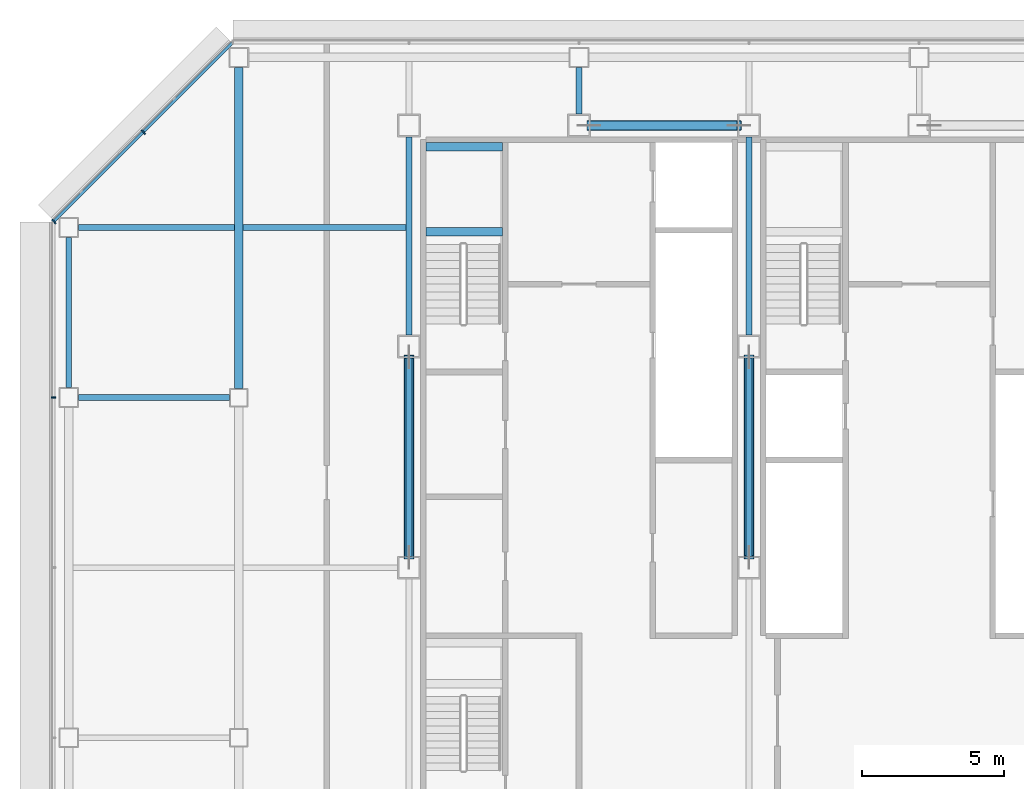
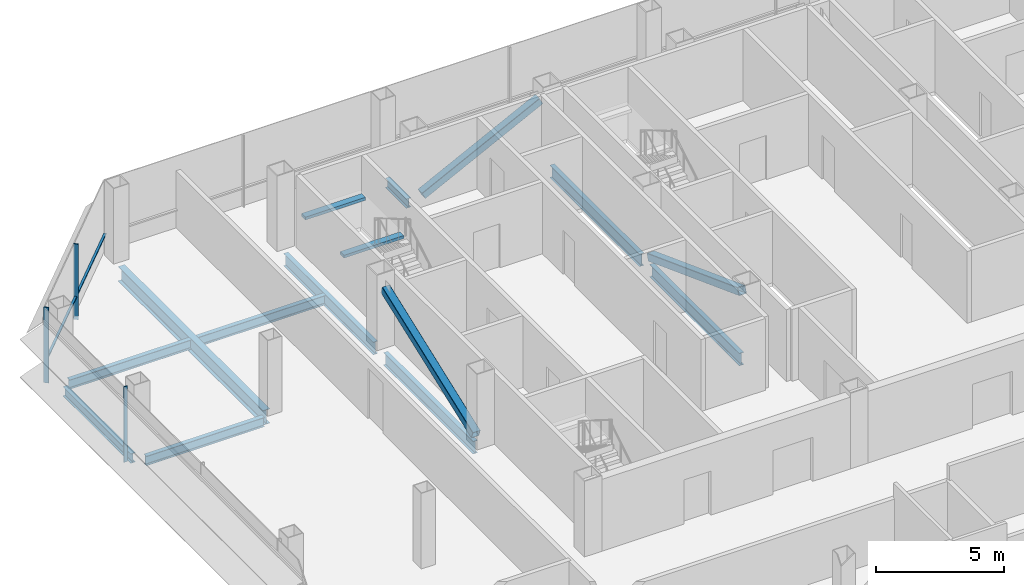
# One storey, part 11 of 24: 12 beams, 7 members, 2 elements without a shape of their own.
"""IFC4 building model written with IfcOpenShell, lengths in metres."""

import ifcopenshell
import ifcopenshell.guid

model = None  # the IFC model being written
_history = None  # IfcOwnerHistory: only IFC2X3 demands one
_inside = {}  # id of a spatial element -> (the spatial element, [elements in it])
_under = {}  # id of a project, library or spatial element -> (it, [spatial elements below it])
_declared = {}  # id of a project -> (the project, [libraries it declares])
_typed = {}  # id of a type object -> (the type object, [elements of that type])
_made_of = {}  # id of a material, layer set ... -> (it, [elements and type objects made of it])


def new_model(schema):
    """Start an empty IFC model of exactly this schema.

    Asked for "IFC4X3", IfcOpenShell would pick the latest addendum, in which some entities
    have other attributes; the version numbers below select the first issue.
    IFC2X3 requires an IfcOwnerHistory on every rooted entity: one is made here for all.
    """
    global model, _history
    if schema == "IFC4X3":
        model = ifcopenshell.file(schema_version=(4, 3, 0, 0))
    else:
        model = ifcopenshell.file(schema=schema)
    _inside.clear()
    _under.clear()
    _declared.clear()
    _typed.clear()
    _made_of.clear()
    _history = None
    if model.schema == "IFC2X3":
        org = make("IfcOrganization", Name="unknown")
        user = make(
            "IfcPersonAndOrganization",
            ThePerson=make("IfcPerson", FamilyName="unknown"),
            TheOrganization=org,
        )
        app = make(
            "IfcApplication",
            ApplicationDeveloper=org,
            Version="unknown",
            ApplicationFullName="unknown",
            ApplicationIdentifier="unknown",
        )
        _history = make(
            "IfcOwnerHistory",
            OwningUser=user,
            OwningApplication=app,
            ChangeAction="ADDED",
            CreationDate=0,
        )
    return model


def make(cls, **values):
    """One entity of the class cls with the attributes given. An attribute that is None is left unset."""
    return model.create_entity(
        cls, **{name: value for name, value in values.items() if value is not None}
    )


def rooted(cls, **values):
    """An entity with a GlobalId (a new one), such as an element, a storey or a relation."""
    return make(cls, GlobalId=ifcopenshell.guid.new(), OwnerHistory=_history, **values)


def si_unit(unit_type, name, prefix=None):
    """IfcSIUnit, for example si_unit("LENGTHUNIT", "METRE", prefix="MILLI")."""
    return make("IfcSIUnit", UnitType=unit_type, Prefix=prefix, Name=name)


def assignment(units):
    """IfcUnitAssignment: the units of a project."""
    return None if units is None else make("IfcUnitAssignment", Units=units)


def point(xyz):
    """IfcCartesianPoint."""
    return None if xyz is None else make("IfcCartesianPoint", Coordinates=xyz)


def direction(xyz):
    """IfcDirection."""
    return None if xyz is None else make("IfcDirection", DirectionRatios=xyz)


def frame(location, z_axis=None, x_axis=None):
    """IfcAxis2Placement3D, a coordinate frame: its origin and axes. An axis left out is left unset."""
    return make(
        "IfcAxis2Placement3D",
        Location=point(location),
        Axis=direction(z_axis),
        RefDirection=direction(x_axis),
    )


def frame_2d(location, x_axis=None):
    """IfcAxis2Placement2D, a coordinate frame in the plane: its origin and x axis."""
    return make(
        "IfcAxis2Placement2D", Location=point(location), RefDirection=direction(x_axis)
    )


def origin():
    """The frame at (0, 0, 0) with its axes left unset."""
    return frame((0.0, 0.0, 0.0))


def origin_2d():
    """The frame at (0, 0) in the plane with its x axis left unset."""
    return frame_2d((0.0, 0.0))


def place(relative_to, where):
    """IfcLocalPlacement: puts the frame where relative to a parent placement (None: the world)."""
    return make(
        "IfcLocalPlacement", PlacementRelTo=relative_to, RelativePlacement=where
    )


def context(
    kind, dimensions, precision=None, world=None, true_north=None, identifier=None
):
    """IfcGeometricRepresentationContext, for example the 3D "Model" context."""
    return make(
        "IfcGeometricRepresentationContext",
        ContextIdentifier=identifier,
        ContextType=kind,
        CoordinateSpaceDimension=dimensions,
        Precision=precision,
        WorldCoordinateSystem=world,
        TrueNorth=true_north,
    )


def subcontext(parent, identifier, kind, view, scale=None):
    """IfcGeometricRepresentationSubContext, for example "Body" below "Model"."""
    return make(
        "IfcGeometricRepresentationSubContext",
        ContextIdentifier=identifier,
        ContextType=kind,
        ParentContext=parent,
        TargetScale=scale,
        TargetView=view,
    )


def project(units=None, contexts=None):
    """IfcProject with its units and contexts."""
    return rooted(
        "IfcProject",
        Name="project",
        RepresentationContexts=contexts,
        UnitsInContext=assignment(units),
    )


def spatial(cls, under=None, at=None, **own):
    """A site, building, storey or space (cls), placed at a placement, below another one or the project."""
    s = rooted(cls, ObjectPlacement=at, **own)
    if under is not None:
        _under.setdefault(under.id(), (under, []))[1].append(s)
    return s


def profile(cls, at=None, kind="AREA", **sizes):
    """A parametric profile (cls). Its sizes go by their IFC names, for example OverallWidth=200.0."""
    return make(cls, ProfileType=kind, Position=at, **sizes)


def rectangle(**sizes):
    """IfcRectangleProfileDef."""
    return profile("IfcRectangleProfileDef", **sizes)


def hollow_rectangle(**sizes):
    """IfcRectangleHollowProfileDef."""
    return profile("IfcRectangleHollowProfileDef", **sizes)


def i_section(**sizes):
    """IfcIShapeProfileDef."""
    return profile("IfcIShapeProfileDef", **sizes)


def extrude(swept, where, along, depth):
    """IfcExtrudedAreaSolid: the profile swept, set in the frame where, extruded along a direction by depth."""
    return make(
        "IfcExtrudedAreaSolid",
        SweptArea=swept,
        Position=where,
        ExtrudedDirection=direction(along),
        Depth=depth,
    )


def shape(context_of_items, identifier, shape_type, items):
    """IfcShapeRepresentation: the items that make up one representation, for example the "Body"."""
    return make(
        "IfcShapeRepresentation",
        ContextOfItems=context_of_items,
        RepresentationIdentifier=identifier,
        RepresentationType=shape_type,
        Items=items,
    )


def material(Name=None, Category=None):
    """IfcMaterial."""
    return make("IfcMaterial", Name=Name, Category=Category)


def material_profile(
    of_material, cross_section, Name=None, Category=None, Priority=None
):
    """IfcMaterialProfile: a cross section and its material."""
    return make(
        "IfcMaterialProfile",
        Name=Name,
        Material=of_material,
        Profile=cross_section,
        Priority=Priority,
        Category=Category,
    )


def profile_set(profiles, Name=None, composite=None):
    """IfcMaterialProfileSet."""
    return make(
        "IfcMaterialProfileSet",
        Name=Name,
        MaterialProfiles=profiles,
        CompositeProfile=composite,
    )


def made_of(thing, what):
    """Note that an element or type object is made of a material, layer set ...; save() writes the relation."""
    if what is not None:
        _made_of.setdefault(what.id(), (what, []))[1].append(thing)
    return thing


def type_object(cls, material=None, **own):
    """A type object (cls), such as IfcWallType, which elements share."""
    return made_of(rooted(cls, **own), material)


def element(
    cls,
    number,
    at=None,
    inside=None,
    cuts=None,
    type_object=None,
    material=None,
    context=None,
    identifier="Body",
    shape_type=None,
    held_by="IfcProductDefinitionShape",
    body=None,
    shapes=None,
    **own,
):
    """One element of the class cls, such as IfcWall. Its Tag is "e" and its number.

    at: its placement. inside: the storey or other place that contains it. cuts: it is an
    opening in that element (IfcRelVoidsElement). A single representation is given by context,
    identifier, shape_type and body (its items); several are given by shapes. held_by: the class
    of the entity that holds the representations. save() writes the other relations.
    """
    e = rooted(cls, Tag="e%d" % number, ObjectPlacement=at, **own)
    if body is not None:
        shapes = [shape(context, identifier, shape_type, body)]
    if shapes is not None:
        e.Representation = make(held_by, Representations=shapes)
    if inside is not None:
        _inside.setdefault(inside.id(), (inside, []))[1].append(e)
    if cuts is not None:
        rooted(
            "IfcRelVoidsElement", RelatingBuildingElement=cuts, RelatedOpeningElement=e
        )
    if type_object is not None:
        _typed.setdefault(type_object.id(), (type_object, []))[1].append(e)
    return made_of(e, material)


def aggregate(whole, parts):
    """IfcRelAggregates: a whole, such as a stair, and the parts it consists of."""
    return rooted("IfcRelAggregates", RelatingObject=whole, RelatedObjects=parts)


def save(model, path):
    """Write the relations noted so far, then the file.

    IfcRelAggregates (storeys below a building ...), IfcRelContainedInSpatialStructure (elements
    in a storey), IfcRelDefinesByType, IfcRelAssociatesMaterial and IfcRelDeclares: one each for
    every whole, place, type object, material and project.
    """
    for whole, parts in _under.values():
        aggregate(whole, parts)
    for where, things in _inside.values():
        rooted(
            "IfcRelContainedInSpatialStructure",
            RelatedElements=things,
            RelatingStructure=where,
        )
    for kind, things in _typed.values():
        rooted("IfcRelDefinesByType", RelatedObjects=things, RelatingType=kind)
    for what, things in _made_of.values():
        rooted("IfcRelAssociatesMaterial", RelatedObjects=things, RelatingMaterial=what)
    for by, libraries in _declared.values():
        rooted("IfcRelDeclares", RelatingContext=by, RelatedDefinitions=libraries)
    model.write(path)


model = new_model("IFC4")

# Units and contexts
model_context = context("Model", 3, precision=1e-05, world=origin(), true_north=direction((0.0, 1.0)))
body_context = subcontext(model_context, "Body", "Model", "MODEL_VIEW")
ifc_project = project(units=[si_unit("LENGTHUNIT", "METRE"), si_unit("AREAUNIT", "SQUARE_METRE"), si_unit("VOLUMEUNIT", "CUBIC_METRE"), si_unit("PLANEANGLEUNIT", "RADIAN"), si_unit("MASSUNIT", "GRAM", prefix="KILO")], contexts=[model_context])

# Site, building, storey
site_placement = place(None, origin())
site = spatial("IfcSite", under=ifc_project, at=site_placement, CompositionType="ELEMENT")
building_placement = place(site_placement, origin())
building = spatial("IfcBuilding", under=site, at=building_placement, Name="Sorahane Residences", CompositionType="ELEMENT")
storey_placement = place(building_placement, frame((0.0, 0.0, 174.39990234375)))
storey = spatial("IfcBuildingStorey", under=building, at=storey_placement, Name="L40", CompositionType="ELEMENT", Elevation=174.39990234375)

# Members
ifc_material_1 = material(Name="Steel Q355B", Category="steel")
ifc_material_profile_1 = material_profile(ifc_material_1, hollow_rectangle(XDim=0.35009765625, YDim=0.35009765625, WallThickness=0.01806640625, InnerFilletRadius=0.009033203125, OuterFilletRadius=0.027099609375, at=origin_2d()), Name="RHS 350x350x18")
ifc_profile_set_1 = profile_set([ifc_material_profile_1], Name="Steel Q355B")
member_type_1 = type_object("IfcMemberType", Name="Core brace RHS 350x350x18 Q355B", PredefinedType="BRACE", material=ifc_profile_set_1)
member_1_placement = place(storey_placement, frame((12.352783203125, 45.60009765625, 0.1513671875), z_axis=(0.893055794866, 0.0, 0.449945938149), x_axis=(0.0, 1.0, 0.0)))
element("IfcMember", 1, at=member_1_placement, inside=storey, type_object=member_type_1, Name="Core brace L40 y45.6-2", PredefinedType="BRACE", context=body_context, shape_type="SweptSolid", body=[
    extrude(hollow_rectangle(XDim=0.35009765625, YDim=0.35009765625, WallThickness=0.01806640625, InnerFilletRadius=0.009033203125, OuterFilletRadius=0.027099609375, at=origin_2d()), origin(), (0.0, 0.0, 1.0), 5.928466796875),
])
for number, where, z_axis, x_axis, name in (
    (2, (6.0, 30.36328125, 0.161376953125), (0.0, 0.936550837269, 0.350531780601), (-1.0, 0.0, 0.0), "Core brace L40 x6-2"),
    (3, (18.0, 37.436767578125, 0.161376953125), (0.0, -0.936550837269, 0.350531780601), (1.0, 0.0, 0.0), "Core brace L40 x18-1"),
):
    element("IfcMember", number, at=place(storey_placement, frame(where, z_axis=z_axis, x_axis=x_axis)), inside=storey, type_object=member_type_1, Name=name, PredefinedType="BRACE", context=body_context, shape_type="SweptSolid", body=[
        extrude(hollow_rectangle(XDim=0.35009765625, YDim=0.35009765625, WallThickness=0.01806640625, InnerFilletRadius=0.009033203125, OuterFilletRadius=0.027099609375, at=origin_2d()), origin(), (0.0, 0.0, 1.0), 7.552734375),
    ])

# Curtain wall, member
ifc_material_2 = material(Name="Dark low-e glass and black anodised aluminium", Category="aluminium")
curtain_wall_type_1 = type_object("IfcCurtainWallType", Name="Curtain wall CW-1 Typical unitised wall", PredefinedType="NOTDEFINED", material=ifc_material_2)
curtain_wall_1_placement = place(storey_placement, origin())
curtain_wall_1 = element("IfcCurtainWall", 4, at=curtain_wall_1_placement, inside=storey, type_object=curtain_wall_type_1, Name="CW-1 curtain wall L40 W1", PredefinedType="NOTDEFINED")
ifc_material_3 = material(Name="Black anodised aluminium", Category="aluminium")
ifc_material_profile_2 = material_profile(ifc_material_3, rectangle(XDim=0.159912109375, YDim=0.050048828125, at=origin_2d()), Name="Curtain wall mullion CW-1 black anodised aluminium 50x160")
ifc_profile_set_2 = profile_set([ifc_material_profile_2], Name="Black anodised aluminium")
member_type_2 = type_object("IfcMemberType", Name="Curtain wall mullion CW-1 black anodised aluminium 50x160", PredefinedType="MULLION", material=ifc_profile_set_2)
member_2_placement = place(storey_placement, frame((-6.5400390625, 36.0, -0.179931640625), z_axis=(0.0, 0.0, 1.0), x_axis=(-1.0, 0.0, 0.0)))
member_2 = element("IfcMember", 5, at=member_2_placement, type_object=member_type_2, Name="CW-1 mullion L40 W1.2", PredefinedType="MULLION", context=body_context, shape_type="SweptSolid", body=[
    extrude(rectangle(XDim=0.159912109375, YDim=0.050048828125, at=origin_2d()), origin(), (0.0, 0.0, 1.0), 3.60009765625),
])
aggregate(curtain_wall_1, [member_2])

# Curtain wall, members
ifc_material_4 = material(Name="Dark low-e glass and black anodised aluminium", Category="aluminium")
curtain_wall_type_2 = type_object("IfcCurtainWallType", Name="Curtain wall CW-2 Chamfer unitised wall", PredefinedType="NOTDEFINED", material=ifc_material_4)
curtain_wall_2_placement = place(storey_placement, origin())
curtain_wall_2 = element("IfcCurtainWall", 6, at=curtain_wall_2_placement, inside=storey, type_object=curtain_wall_type_2, Name="CW-2 curtain wall L40 NW1", PredefinedType="NOTDEFINED")
ifc_material_5 = material(Name="Black anodised aluminium", Category="aluminium")
ifc_material_profile_3 = material_profile(ifc_material_5, rectangle(XDim=0.199951171875, YDim=0.050048828125, at=origin_2d()), Name="Curtain wall mullion CW-2 black anodised aluminium 50x200")
ifc_profile_set_3 = profile_set([ifc_material_profile_3], Name="Black anodised aluminium")
member_type_3 = type_object("IfcMemberType", Name="Curtain wall mullion CW-2 black anodised aluminium 50x200", PredefinedType="MULLION", material=ifc_profile_set_3)
member_3_placement = place(storey_placement, frame((-3.36767578125, 45.36767578125, -0.179931640625), z_axis=(0.0, 0.0, 1.0), x_axis=(-0.707106781187, 0.707106781187, 0.0)))
member_3 = element("IfcMember", 7, at=member_3_placement, type_object=member_type_3, Name="CW-2 mullion L40 NW1.2", PredefinedType="MULLION", context=body_context, shape_type="SweptSolid", body=[
    extrude(rectangle(XDim=0.199951171875, YDim=0.050048828125, at=origin_2d()), origin(), (0.0, 0.0, 1.0), 3.60009765625),
])
member_4_placement = place(storey_placement, frame((-6.525634765625, 42.209716796875, -0.179931640625), z_axis=(0.0, 0.0, 1.0), x_axis=(-0.707106781187, 0.707106781187, 0.0)))
member_4 = element("IfcMember", 8, at=member_4_placement, type_object=member_type_3, Name="CW-2 mullion L40 NW1.3", PredefinedType="MULLION", context=body_context, shape_type="SweptSolid", body=[
    extrude(rectangle(XDim=0.199951171875, YDim=0.050048828125, at=origin_2d()), origin(), (0.0, 0.0, 1.0), 3.60009765625),
])
ifc_material_6 = material(Name="Black anodised aluminium", Category="aluminium")
ifc_material_profile_4 = material_profile(ifc_material_6, rectangle(XDim=0.10009765625, YDim=0.06005859375, at=origin_2d()), Name="Curtain wall transom CW-2 black anodised aluminium 60x100")
ifc_profile_set_4 = profile_set([ifc_material_profile_4], Name="Black anodised aluminium")
member_type_4 = type_object("IfcMemberType", Name="Curtain wall transom CW-2 black anodised aluminium 60x100", PredefinedType="USERDEFINED", material=ifc_profile_set_4)
member_5_placement = place(storey_placement, frame((-0.234375, 48.51513671875, 0.900146484375), z_axis=(-0.707106781187, -0.707106781187, 0.0), x_axis=(0.707106781187, -0.707106781187, 0.0)))
member_5 = element("IfcMember", 9, at=member_5_placement, type_object=member_type_4, Name="CW-2 transom L40 NW1", ObjectType="TRANSOM", PredefinedType="USERDEFINED", context=body_context, shape_type="SweptSolid", body=[
    extrude(rectangle(XDim=0.10009765625, YDim=0.06005859375, at=origin_2d()), origin(), (0.0, 0.0, 1.0), 8.88232421875),
])
aggregate(curtain_wall_2, [member_3, member_4, member_5])

# Beams
ifc_material_7 = material(Name="Concrete C40", Category="concrete")
ifc_material_profile_5 = material_profile(ifc_material_7, rectangle(XDim=0.300048828125, YDim=0.139892578125, at=origin_2d()), Name="300x140")
ifc_profile_set_5 = profile_set([ifc_material_profile_5], Name="Concrete C40")
beam_type_1 = type_object("IfcBeamType", Name="RC landing beam 300 x 140 Concrete C40", PredefinedType="BEAM", material=ifc_profile_set_5)
for number, where, z_axis, x_axis, name in (
    (10, (6.60009765625, 41.85009765625, 1.530029296875), (1.0, 0.0, 0.0), (0.0, 1.0, 0.0), "Landing beam"),
    (11, (6.60009765625, 44.85009765625, 1.530029296875), (1.0, 0.0, 0.0), (0.0, 1.0, 0.0), "Landing beam"),
):
    element("IfcBeam", number, at=place(storey_placement, frame(where, z_axis=z_axis, x_axis=x_axis)), inside=storey, type_object=beam_type_1, Name=name, PredefinedType="BEAM", context=body_context, shape_type="SweptSolid", body=[
        extrude(rectangle(XDim=0.300048828125, YDim=0.139892578125, at=origin_2d()), origin(), (0.0, 0.0, 1.0), 2.699951171875),
    ])
ifc_material_8 = material(Name="Steel Q355B", Category="steel")
ifc_material_profile_6 = material_profile(ifc_material_8, i_section(OverallWidth=0.199951171875, OverallDepth=0.449951171875, WebThickness=0.009033203125, FlangeThickness=0.013916015625, FilletRadius=0.02001953125, at=origin_2d()), Name="HN 450x200x9x14")
ifc_profile_set_6 = profile_set([ifc_material_profile_6], Name="Steel Q355B")
beam_type_2 = type_object("IfcBeamType", Name="Steel floor beam HN 450x200x9x14 Q355B", PredefinedType="BEAM", material=ifc_profile_set_6)
beam_1_placement = place(storey_placement, frame((-5.64990234375, 36.0, -0.40478515625), z_axis=(1.0, 0.0, 0.0), x_axis=(0.0, 1.0, 0.0)))
element("IfcBeam", 12, at=beam_1_placement, inside=storey, type_object=beam_type_2, Name="Beam L40 013", PredefinedType="BEAM", context=body_context, shape_type="SweptSolid", body=[
    extrude(i_section(OverallWidth=0.199951171875, OverallDepth=0.449951171875, WebThickness=0.009033203125, FlangeThickness=0.013916015625, FilletRadius=0.02001953125, at=origin_2d()), origin(), (0.0, 0.0, 1.0), 5.324951171875),
])
beam_2_placement = place(storey_placement, frame((-6.0, 36.35009765625, -0.40478515625), z_axis=(0.0, 1.0, 0.0), x_axis=(-1.0, 0.0, 0.0)))
element("IfcBeam", 13, at=beam_2_placement, inside=storey, type_object=beam_type_2, Name="Beam L40 023", PredefinedType="BEAM", context=body_context, shape_type="SweptSolid", body=[
    extrude(i_section(OverallWidth=0.199951171875, OverallDepth=0.449951171875, WebThickness=0.009033203125, FlangeThickness=0.013916015625, FilletRadius=0.02001953125, at=origin_2d()), origin(), (0.0, 0.0, 1.0), 5.2998046875),
])
beam_3_placement = place(storey_placement, frame((12.0, 46.0, -0.40478515625), z_axis=(0.0, 1.0, 0.0), x_axis=(-1.0, 0.0, 0.0)))
element("IfcBeam", 14, at=beam_3_placement, inside=storey, type_object=beam_type_2, Name="Beam L40 035", PredefinedType="BEAM", context=body_context, shape_type="SweptSolid", body=[
    extrude(i_section(OverallWidth=0.199951171875, OverallDepth=0.449951171875, WebThickness=0.009033203125, FlangeThickness=0.013916015625, FilletRadius=0.02001953125, at=origin_2d()), origin(), (0.0, 0.0, 1.0), 1.64990234375),
])
beam_4_placement = place(storey_placement, frame((-5.64990234375, 42.0, -0.40478515625), z_axis=(1.0, 0.0, 0.0), x_axis=(0.0, 1.0, 0.0)))
element("IfcBeam", 15, at=beam_4_placement, inside=storey, type_object=beam_type_2, Name="Beam L40 089", PredefinedType="BEAM", context=body_context, shape_type="SweptSolid", body=[
    extrude(i_section(OverallWidth=0.199951171875, OverallDepth=0.449951171875, WebThickness=0.009033203125, FlangeThickness=0.013916015625, FilletRadius=0.02001953125, at=origin_2d()), origin(), (0.0, 0.0, 1.0), 5.5),
])
beam_5_placement = place(storey_placement, frame((0.14990234375, 42.0, -0.40478515625), z_axis=(1.0, 0.0, 0.0), x_axis=(0.0, 1.0, 0.0)))
element("IfcBeam", 16, at=beam_5_placement, inside=storey, type_object=beam_type_2, Name="Beam L40 090", PredefinedType="BEAM", context=body_context, shape_type="SweptSolid", body=[
    extrude(i_section(OverallWidth=0.199951171875, OverallDepth=0.449951171875, WebThickness=0.009033203125, FlangeThickness=0.013916015625, FilletRadius=0.02001953125, at=origin_2d()), origin(), (0.0, 0.0, 1.0), 5.75),
])
ifc_material_9 = material(Name="Steel Q355B", Category="steel")
ifc_material_profile_7 = material_profile(ifc_material_9, i_section(OverallWidth=0.199951171875, OverallDepth=0.60009765625, WebThickness=0.010986328125, FlangeThickness=0.01708984375, FilletRadius=0.02392578125, at=origin_2d()), Name="HN 600x200x11x17")
ifc_profile_set_7 = profile_set([ifc_material_profile_7], Name="Steel Q355B")
beam_type_3 = type_object("IfcBeamType", Name="Steel floor beam HN 600x200x11x17 Q355B", PredefinedType="BEAM", material=ifc_profile_set_7)
for number, where, z_axis, x_axis, name in (
    (17, (6.0, 30.39990234375, -0.47998046875), (0.0, 1.0, 0.0), (-1.0, 0.0, 0.0), "Beam L40 031"),
    (18, (6.0, 38.199951171875, -0.47998046875), (0.0, 1.0, 0.0), (-1.0, 0.0, 0.0), "Beam L40 032"),
    (19, (18.0, 30.39990234375, -0.47998046875), (0.0, 1.0, 0.0), (-1.0, 0.0, 0.0), "Beam L40 039"),
    (20, (18.0, 38.199951171875, -0.47998046875), (0.0, 1.0, 0.0), (-1.0, 0.0, 0.0), "Beam L40 040"),
):
    element("IfcBeam", number, at=place(storey_placement, frame(where, z_axis=z_axis, x_axis=x_axis)), inside=storey, type_object=beam_type_3, Name=name, PredefinedType="BEAM", context=body_context, shape_type="SweptSolid", body=[
        extrude(i_section(OverallWidth=0.199951171875, OverallDepth=0.60009765625, WebThickness=0.010986328125, FlangeThickness=0.01708984375, FilletRadius=0.02392578125, at=origin_2d()), origin(), (0.0, 0.0, 1.0), 7.0),
    ])
ifc_material_10 = material(Name="Steel Q355B", Category="steel")
ifc_material_profile_8 = material_profile(ifc_material_10, i_section(OverallWidth=0.300048828125, OverallDepth=0.699951171875, WebThickness=0.012939453125, FlangeThickness=0.02392578125, FilletRadius=0.028076171875, at=origin_2d()), Name="HN 700x300x13x24")
ifc_profile_set_8 = profile_set([ifc_material_profile_8], Name="Steel Q355B")
beam_type_4 = type_object("IfcBeamType", Name="Steel floor beam HN 700x300x13x24 Q355B", PredefinedType="BEAM", material=ifc_profile_set_8)
beam_6_placement = place(storey_placement, frame((0.0, 36.324951171875, -0.52978515625), z_axis=(0.0, 1.0, 0.0), x_axis=(-1.0, 0.0, 0.0)))
element("IfcBeam", 21, at=beam_6_placement, inside=storey, type_object=beam_type_4, Name="Beam L40 027", PredefinedType="BEAM", context=body_context, shape_type="SweptSolid", body=[
    extrude(i_section(OverallWidth=0.300048828125, OverallDepth=0.699951171875, WebThickness=0.012939453125, FlangeThickness=0.02392578125, FilletRadius=0.028076171875, at=origin_2d()), origin(), (0.0, 0.0, 1.0), 11.324951171875),
])

save(model, "model.ifc")
